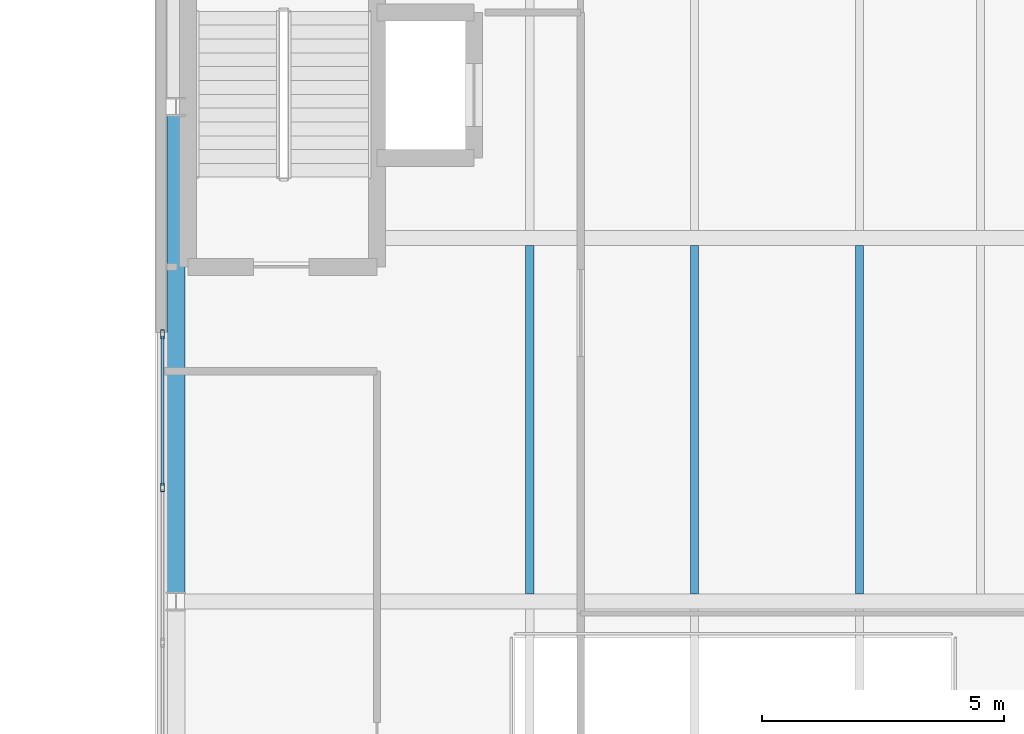
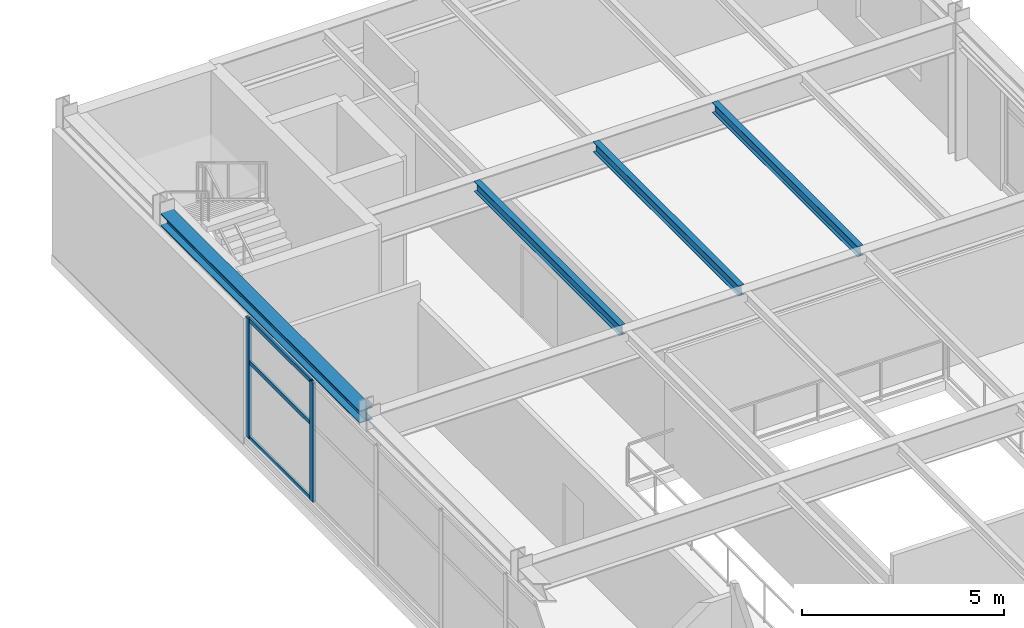
# One storey, part 7 of 16: 5 members, 4 beams, 1 element without a shape of its own.
"""IFC4 building model written with IfcOpenShell, lengths in metres."""

from ifc_helpers import new_model, si_unit, direction, frame, origin, origin_2d, place, context, subcontext, project, spatial, hollow_rectangle, i_section, extrude, material, layer, layer_set, material_profile, profile_set, type_object, element, aggregate, save


model = new_model("IFC4")

# Units and contexts
model_context = context("Model", 3, precision=1e-05, world=origin(), true_north=direction((0.0, 1.0)))
body_context = subcontext(model_context, "Body", "Model", "MODEL_VIEW")
ifc_project = project(units=[si_unit("LENGTHUNIT", "METRE"), si_unit("AREAUNIT", "SQUARE_METRE"), si_unit("VOLUMEUNIT", "CUBIC_METRE"), si_unit("PLANEANGLEUNIT", "RADIAN"), si_unit("MASSUNIT", "GRAM", prefix="KILO")], contexts=[model_context])

# Site, building, storey
site_placement = place(None, origin())
site = spatial("IfcSite", under=ifc_project, at=site_placement, CompositionType="ELEMENT")
building_placement = place(site_placement, origin())
building = spatial("IfcBuilding", under=site, at=building_placement, Name="Mersakhor Tower and Convention Hall", CompositionType="ELEMENT")
storey_placement = place(building_placement, frame((0.0, 0.0, 5.10009765625)))
storey = spatial("IfcBuildingStorey", under=building, at=storey_placement, Name="L01", CompositionType="ELEMENT", Elevation=5.10009765625)

# Beams
ifc_material_1 = material(Name="Steel S355", Category="steel")
ifc_material_profile_1 = material_profile(ifc_material_1, i_section(OverallWidth=0.165771484375, OverallDepth=0.306640625, WebThickness=0.006591796875, FlangeThickness=0.01171875, at=origin_2d()), Name="UB 305x165x46")
ifc_profile_set_1 = profile_set([ifc_material_profile_1], Name="Steel S355")
beam_type_1 = type_object("IfcBeamType", Name="BM-JST-305", PredefinedType="JOIST", material=ifc_profile_set_1)
for number, where, z_axis, x_axis, name in (
    (1, (62.800048828125, 33.40380859375, 4.026611328125), (0.0, 1.0, 0.0), (-1.0, 0.0, 0.0), "Convention L01 Composite Floor Joist CJ-5-62"),
    (2, (66.199951171875, 33.40380859375, 4.026611328125), (0.0, 1.0, 0.0), (-1.0, 0.0, 0.0), "Convention L01 Composite Floor Joist CJ-5-66"),
    (3, (69.60009765625, 33.40380859375, 4.026611328125), (0.0, 1.0, 0.0), (-1.0, 0.0, 0.0), "Convention L01 Composite Floor Joist CJ-5-69"),
):
    element("IfcBeam", number, at=place(storey_placement, frame(where, z_axis=z_axis, x_axis=x_axis)), inside=storey, type_object=beam_type_1, Name=name, PredefinedType="JOIST", context=body_context, shape_type="SweptSolid", body=[
        extrude(i_section(OverallWidth=0.165771484375, OverallDepth=0.306640625, WebThickness=0.006591796875, FlangeThickness=0.01171875, at=origin_2d()), origin(), (0.0, 0.0, 1.0), 7.1923828125),
    ])
ifc_material_2 = material(Name="Steel S355", Category="steel")
ifc_material_profile_2 = material_profile(ifc_material_2, i_section(OverallWidth=0.374755859375, OverallDepth=0.37451171875, WebThickness=0.0166015625, FlangeThickness=0.027099609375, at=origin_2d()), Name="UC 356x368x202")
ifc_profile_set_2 = profile_set([ifc_material_profile_2], Name="Steel S355")
beam_type_2 = type_object("IfcBeamType", Name="BM-SPD-UC356", PredefinedType="SPANDREL", material=ifc_profile_set_2)
beam_placement = place(storey_placement, frame((55.5, 33.429931640625, 3.992919921875), z_axis=(0.0, 1.0, 0.0), x_axis=(-1.0, 0.0, 0.0)))
element("IfcBeam", 4, at=beam_placement, inside=storey, type_object=beam_type_2, Name="Convention L01 Edge Spandrel W5", PredefinedType="SPANDREL", context=body_context, shape_type="SweptSolid", body=[
    extrude(i_section(OverallWidth=0.374755859375, OverallDepth=0.37451171875, WebThickness=0.0166015625, FlangeThickness=0.027099609375, at=origin_2d()), origin(), (0.0, 0.0, 1.0), 9.840087890625),
])

# Curtain wall, members
ifc_material_3 = material(Name="Dark solar low-E aluminium curtain wall", Category="aluminium")
ifc_layer = layer(ifc_material_3, 0.219970703125)
ifc_layer_set = layer_set([ifc_layer], Name="Dark solar low-E aluminium curtain wall")
curtain_wall_type = type_object("IfcCurtainWallType", Name="CW-SYS-07", PredefinedType="USERDEFINED", material=ifc_layer_set)
curtain_wall_placement = place(storey_placement, origin())
curtain_wall = element("IfcCurtainWall", 5, at=curtain_wall_placement, inside=storey, type_object=curtain_wall_type, Name="Convention L01 West Curtain Wall", ObjectType="CURTAIN WALL", PredefinedType="USERDEFINED")
ifc_material_4 = material(Name="Anodised aluminium EN AW-6063 T6", Category="aluminium")
ifc_material_profile_3 = material_profile(ifc_material_4, hollow_rectangle(XDim=0.080078125, YDim=0.179931640625, WallThickness=0.008056640625, at=origin_2d()), Name="RHS 180x80x8")
ifc_profile_set_3 = profile_set([ifc_material_profile_3], Name="Anodised aluminium EN AW-6063 T6")
member_type_1 = type_object("IfcMemberType", Name="CWM-180x80", PredefinedType="MULLION", material=ifc_profile_set_3)
member_1_placement = place(storey_placement, frame((55.22509765625, 35.60009765625, 0.199951171875), z_axis=(0.0, 0.0, 1.0), x_axis=(-1.0, 0.0, 0.0)))
member_1 = element("IfcMember", 6, at=member_1_placement, type_object=member_type_1, Name="CW-07 mullion 5", PredefinedType="MULLION", context=body_context, shape_type="SweptSolid", body=[
    extrude(hollow_rectangle(XDim=0.080078125, YDim=0.179931640625, WallThickness=0.008056640625, at=origin_2d()), origin(), (0.0, 0.0, 1.0), 3.599853515625),
])
member_2_placement = place(storey_placement, frame((55.22509765625, 38.760009765625, 0.199951171875), z_axis=(0.0, 0.0, 1.0), x_axis=(-1.0, 0.0, 0.0)))
member_2 = element("IfcMember", 7, at=member_2_placement, type_object=member_type_1, Name="CW-07 mullion 6", PredefinedType="MULLION", context=body_context, shape_type="SweptSolid", body=[
    extrude(hollow_rectangle(XDim=0.080078125, YDim=0.179931640625, WallThickness=0.008056640625, at=origin_2d()), origin(), (0.0, 0.0, 1.0), 3.599853515625),
])
ifc_material_5 = material(Name="Anodised aluminium EN AW-6063 T6", Category="aluminium")
ifc_material_profile_4 = material_profile(ifc_material_5, hollow_rectangle(XDim=0.06005859375, YDim=0.1201171875, WallThickness=0.0048828125, at=origin_2d()), Name="RHS 120x60x5")
ifc_profile_set_4 = profile_set([ifc_material_profile_4], Name="Anodised aluminium EN AW-6063 T6")
member_type_2 = type_object("IfcMemberType", Name="CWT-120x60", PredefinedType="USERDEFINED", material=ifc_profile_set_4)
member_3_placement = place(storey_placement, frame((55.22509765625, 35.639892578125, 0.22998046875), z_axis=(0.0, 1.0, 0.0), x_axis=(-1.0, 0.0, 0.0)))
member_3 = element("IfcMember", 8, at=member_3_placement, type_object=member_type_2, Name="CW-07 transom 5.1", ObjectType="TRANSOM", PredefinedType="USERDEFINED", context=body_context, shape_type="SweptSolid", body=[
    extrude(hollow_rectangle(XDim=0.06005859375, YDim=0.1201171875, WallThickness=0.0048828125, at=origin_2d()), origin(), (0.0, 0.0, 1.0), 3.080078125),
])
member_4_placement = place(storey_placement, frame((55.22509765625, 35.639892578125, 2.5), z_axis=(0.0, 1.0, 0.0), x_axis=(-1.0, 0.0, 0.0)))
member_4 = element("IfcMember", 9, at=member_4_placement, type_object=member_type_2, Name="CW-07 transom 5.2", ObjectType="TRANSOM", PredefinedType="USERDEFINED", context=body_context, shape_type="SweptSolid", body=[
    extrude(hollow_rectangle(XDim=0.06005859375, YDim=0.1201171875, WallThickness=0.0048828125, at=origin_2d()), origin(), (0.0, 0.0, 1.0), 3.080078125),
])
member_5_placement = place(storey_placement, frame((55.22509765625, 35.639892578125, 3.77001953125), z_axis=(0.0, 1.0, 0.0), x_axis=(-1.0, 0.0, 0.0)))
member_5 = element("IfcMember", 10, at=member_5_placement, type_object=member_type_2, Name="CW-07 transom 5.3", ObjectType="TRANSOM", PredefinedType="USERDEFINED", context=body_context, shape_type="SweptSolid", body=[
    extrude(hollow_rectangle(XDim=0.06005859375, YDim=0.1201171875, WallThickness=0.0048828125, at=origin_2d()), origin(), (0.0, 0.0, 1.0), 3.080078125),
])
aggregate(curtain_wall, [member_1, member_2, member_3, member_4, member_5])

save(model, "model.ifc")
